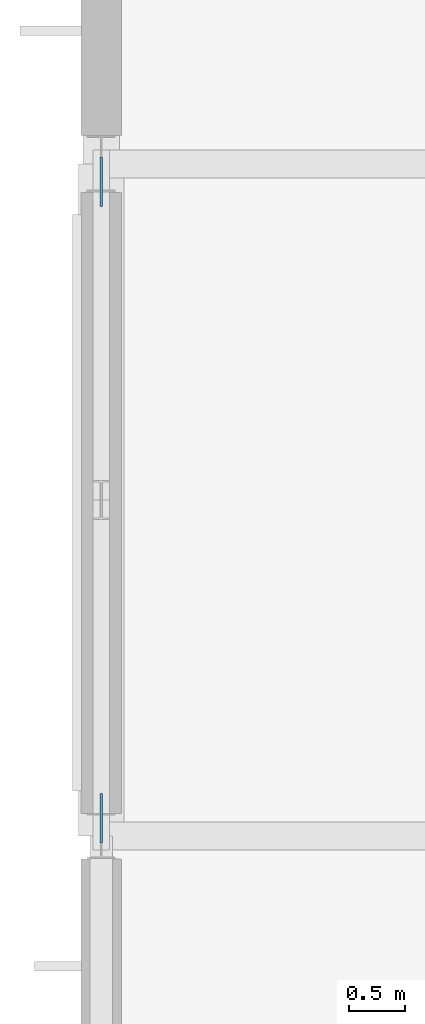
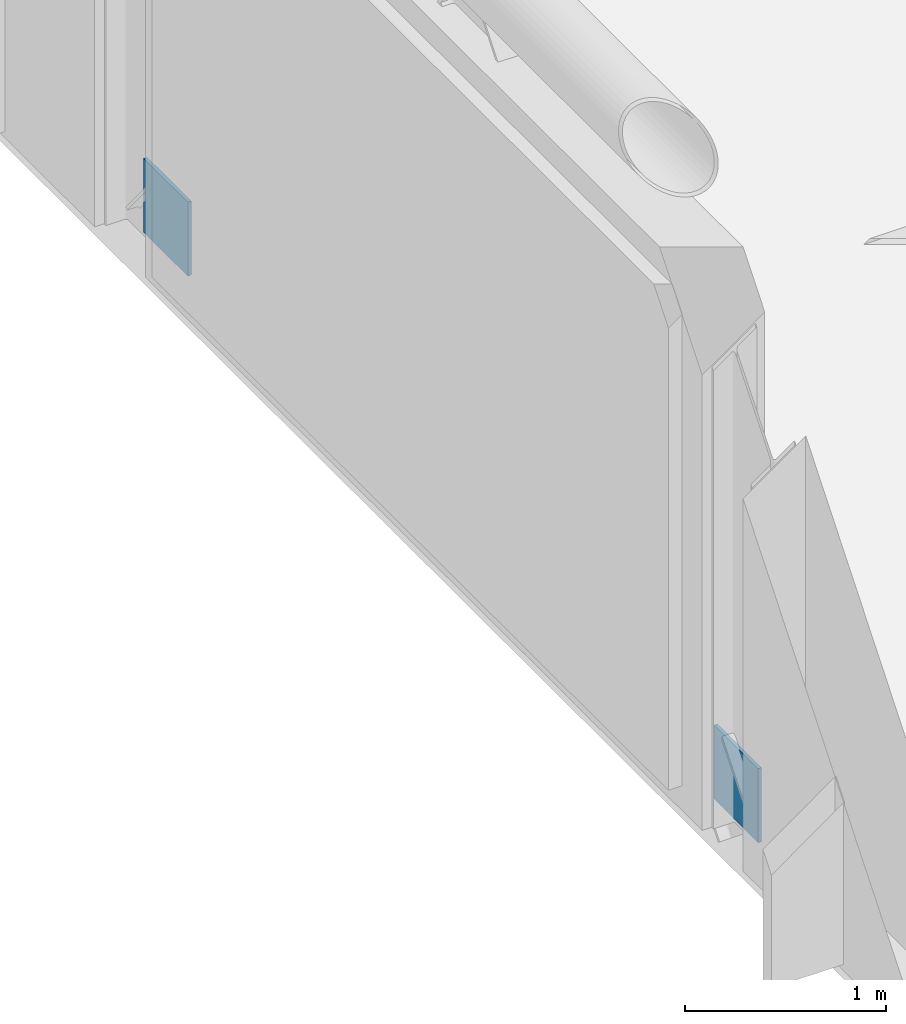
# One storey, part 68 of 83: 2 discrete accessories.
"""IFC4 building model written with IfcOpenShell, lengths in metres."""

from ifc_helpers import new_model, si_unit, direction, frame, origin, origin_2d, place, context, subcontext, project, spatial, rectangle, extrude, material, layer, layer_set, type_object, element, save


model = new_model("IFC4")

# Units and contexts
model_context = context("Model", 3, precision=1e-05, world=origin(), true_north=direction((0.0, 1.0)))
body_context = subcontext(model_context, "Body", "Model", "MODEL_VIEW")
ifc_project = project(units=[si_unit("LENGTHUNIT", "METRE"), si_unit("AREAUNIT", "SQUARE_METRE"), si_unit("VOLUMEUNIT", "CUBIC_METRE"), si_unit("PLANEANGLEUNIT", "RADIAN"), si_unit("MASSUNIT", "GRAM", prefix="KILO")], contexts=[model_context])

# Site, building, storey
site_placement = place(None, origin())
site = spatial("IfcSite", under=ifc_project, at=site_placement, CompositionType="ELEMENT")
building_placement = place(site_placement, origin())
building = spatial("IfcBuilding", under=site, at=building_placement, Name="Varnakota Square Police Headquarters", CompositionType="ELEMENT")
storey_placement = place(building_placement, frame((0.0, 0.0, 18.0)))
storey = spatial("IfcBuildingStorey", under=building, at=storey_placement, Name="L04", CompositionType="ELEMENT", Elevation=18.0)

# Discrete accessories
ifc_material = material(Name="Steel IS 2062 Grade 350", Category="steel")
ifc_layer = layer(ifc_material, 0.64990234375, Name="Steel IS 2062 Grade 350")
ifc_layer_set = layer_set([ifc_layer], Name="Steel IS 2062 Grade 350")
discrete_accessory_type = type_object("IfcDiscreteAccessoryType", Name="ACC-EMB-350", PredefinedType="BRACKET", material=ifc_layer_set)
for number, where, z_axis, x_axis, name in (
    (1, (6.0, 51.159912109375, 0.02490234375), (0.0, 0.0, 1.0), (0.0, 1.0, 0.0), "Brace gusset connection plate BF4 L04 L"),
    (2, (6.0, 56.840087890625, 0.02490234375), (0.0, 0.0, 1.0), (0.0, 1.0, 0.0), "Brace gusset connection plate BF4 L04 R"),
):
    element("IfcDiscreteAccessory", number, at=place(storey_placement, frame(where, z_axis=z_axis, x_axis=x_axis)), inside=storey, type_object=discrete_accessory_type, Name=name, PredefinedType="BRACKET", context=body_context, shape_type="SweptSolid", body=[
        extrude(rectangle(XDim=0.43994140625, YDim=0.02001953125, at=origin_2d()), origin(), (0.0, 0.0, 1.0), 0.449951171875),
    ])

save(model, "model.ifc")
